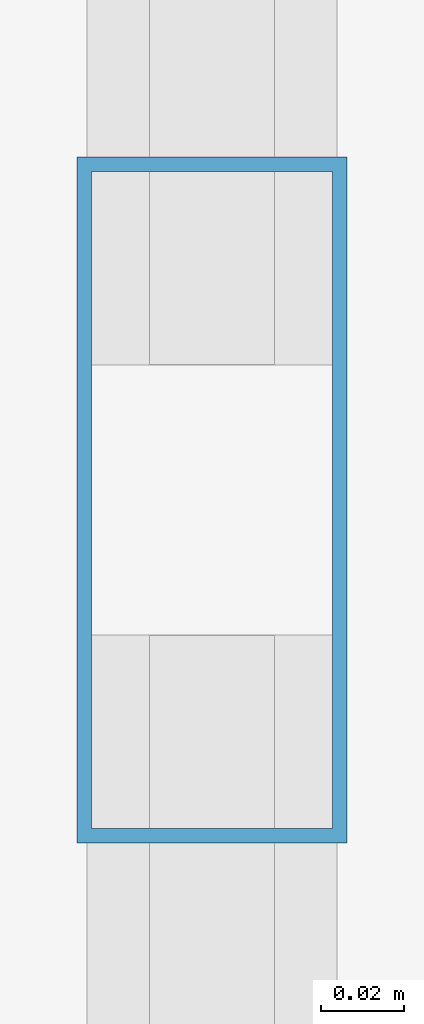
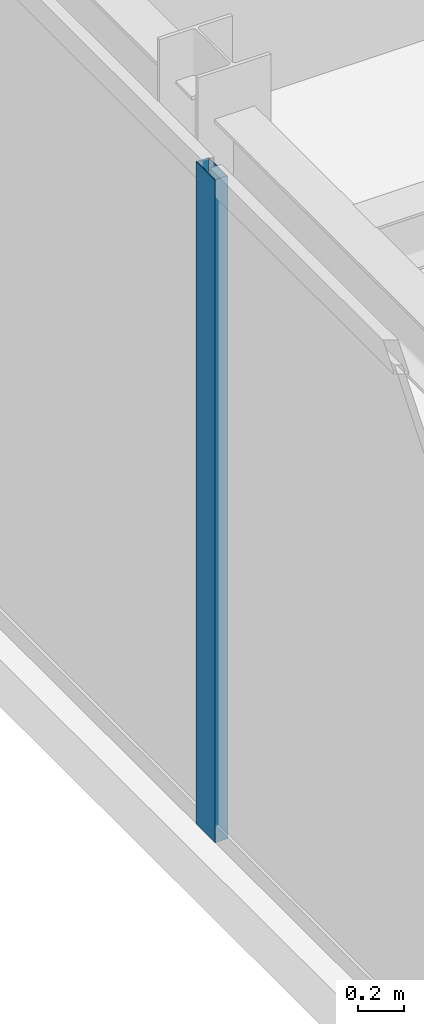
# One storey, part 10 of 27: 1 member, 1 element without a shape of its own.
"""IFC4 building model written with IfcOpenShell, lengths in metres."""

from ifc_helpers import new_model, si_unit, direction, frame, origin, origin_2d, place, context, subcontext, project, spatial, hollow_rectangle, extrude, source, transform, mapped, material, layer, layer_set, material_profile, profile_set, type_object, type_shapes, element, aggregate, save


model = new_model("IFC4")

# Units and contexts
model_context = context("Model", 3, precision=1e-05, world=origin(), true_north=direction((0.0, 1.0)))
body_context = subcontext(model_context, "Body", "Model", "MODEL_VIEW")
ifc_project = project(units=[si_unit("LENGTHUNIT", "METRE"), si_unit("AREAUNIT", "SQUARE_METRE"), si_unit("VOLUMEUNIT", "CUBIC_METRE"), si_unit("PLANEANGLEUNIT", "RADIAN"), si_unit("MASSUNIT", "GRAM", prefix="KILO")], contexts=[model_context])

# Site, building, storey
site_placement = place(None, origin())
site = spatial("IfcSite", under=ifc_project, at=site_placement, CompositionType="ELEMENT")
building_placement = place(site_placement, origin())
building = spatial("IfcBuilding", under=site, at=building_placement, Name="Varnel Quay Broadcast Tower", CompositionType="ELEMENT")
storey_placement = place(building_placement, frame((0.0, 0.0, 203.60009765625)))
storey = spatial("IfcBuildingStorey", under=building, at=storey_placement, Name="L50", CompositionType="ELEMENT", Elevation=203.60009765625)

# Curtain wall, member
ifc_material = material(Name="Anodised Bronze Aluminium 6063-T6", Category="aluminium")
ifc_layer = layer(ifc_material, 0.18994140625, Name="Anodised Bronze Aluminium 6063-T6")
ifc_layer_set = layer_set([ifc_layer], Name="Anodised Bronze Aluminium 6063-T6")
curtain_wall_type = type_object("IfcCurtainWallType", Name="CW_UpperTower", PredefinedType="NOTDEFINED", material=ifc_layer_set)
curtain_wall_placement = place(storey_placement, origin())
curtain_wall = element("IfcCurtainWall", 1, at=curtain_wall_placement, inside=storey, type_object=curtain_wall_type, Name="L50 West Unitised Curtain Wall", PredefinedType="NOTDEFINED")
ifc_material_profile = material_profile(ifc_material, hollow_rectangle(XDim=0.06494140625, YDim=0.1650390625, WallThickness=0.00341796875, at=origin_2d()), Name="ALU65X165X3.5")
ifc_profile_set = profile_set([ifc_material_profile], Name="Anodised Bronze Aluminium 6063-T6")
member_type = type_object("IfcMemberType", Name="Mull_CWS-03", PredefinedType="MULLION", material=ifc_profile_set)
shared_shape = source(origin(), body_context, "Body", "SweptSolid", [
    extrude(hollow_rectangle(XDim=0.06494140625, YDim=0.1650390625, WallThickness=0.00341796875, at=origin_2d()), origin(), (0.0, 0.0, 1.0), 3.5498046875),
])
type_shapes(member_type, [shared_shape])
member_placement = place(storey_placement, frame((9.64990234375, 28.5, 0.0), z_axis=(0.0, 0.0, 1.0), x_axis=(-1.0, 0.0, 0.0)))
member = element("IfcMember", 2, at=member_placement, type_object=member_type, Name="CWS-03 mullion 2", PredefinedType="MULLION", context=body_context, shape_type="MappedRepresentation", body=[
    mapped(shared_shape, transform((0.0, 0.0, 0.0), x_axis=(1.0, 0.0, 0.0), y_axis=(0.0, 1.0, 0.0), z_axis=(0.0, 0.0, 1.0), scale=1.0)),
])
aggregate(curtain_wall, [member])

save(model, "model.ifc")
